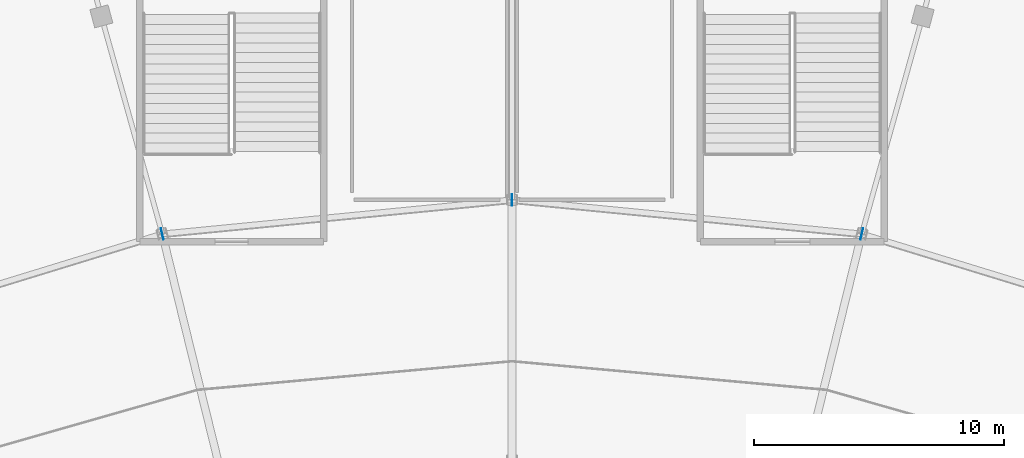
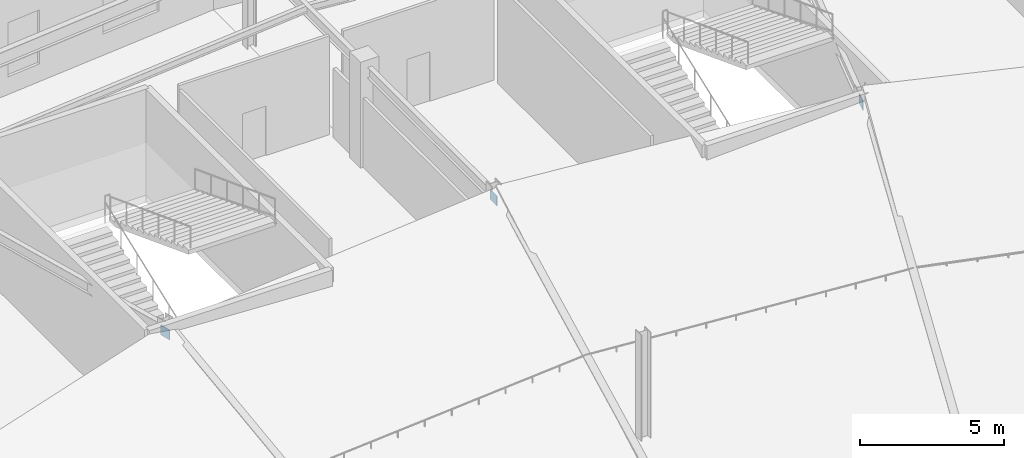
# One storey, part 29 of 63: 3 plates.
"""IFC4 building model written with IfcOpenShell, lengths in metres."""

from ifc_helpers import new_model, si_unit, direction, frame, origin, origin_2d, place, context, subcontext, project, spatial, rectangle, extrude, material, layer, layer_set, type_object, element, save


model = new_model("IFC4")

# Units and contexts
model_context = context("Model", 3, precision=1e-05, world=origin(), true_north=direction((0.0, 1.0)))
body_context = subcontext(model_context, "Body", "Model", "MODEL_VIEW")
ifc_project = project(units=[si_unit("LENGTHUNIT", "METRE"), si_unit("AREAUNIT", "SQUARE_METRE"), si_unit("VOLUMEUNIT", "CUBIC_METRE"), si_unit("PLANEANGLEUNIT", "RADIAN"), si_unit("MASSUNIT", "GRAM", prefix="KILO")], contexts=[model_context])

# Site, building, storey
site_placement = place(None, origin())
site = spatial("IfcSite", under=ifc_project, at=site_placement, CompositionType="ELEMENT")
building_placement = place(site_placement, origin())
building = spatial("IfcBuilding", under=site, at=building_placement, Name="Kalgoora Escarpment Arena", CompositionType="ELEMENT")
storey_placement = place(building_placement, frame((0.0, 0.0, 14.39990234375)))
storey = spatial("IfcBuildingStorey", under=building, at=storey_placement, Name="L03", CompositionType="ELEMENT", Elevation=14.39990234375)

# Plates
ifc_material = material(Name="Structural steel Grade 350 (350 MPa)", Category="steel")
ifc_layer = layer(ifc_material, 0.02490234375)
ifc_layer_set = layer_set([ifc_layer], Name="PLT-GUSSET-25")
plate_type = type_object("IfcPlateType", Name="PLT-GUSSET-25", PredefinedType="USERDEFINED", material=ifc_layer_set)
for number, where, z_axis, x_axis, name in (
    (1, (106.376220703125, 102.636962890625, 3.64013671875), (0.0, 0.0, 1.0), (0.238533457579, 0.97113427991, 0.0), "Upper bowl raker wall embedment plate R06"),
    (2, (92.39990234375, 104.0, 3.64013671875), (0.0, 0.0, 1.0), (0.0, 1.0, 0.0), "Upper bowl raker wall embedment plate R07"),
    (3, (78.423828125, 102.636962890625, 3.64013671875), (0.0, 0.0, 1.0), (-0.238533457579, 0.97113427991, 0.0), "Upper bowl raker wall embedment plate R08"),
):
    element("IfcPlate", number, at=place(storey_placement, frame(where, z_axis=z_axis, x_axis=x_axis)), inside=storey, type_object=plate_type, Name=name, ObjectType="FLANGE PLATE", PredefinedType="USERDEFINED", context=body_context, shape_type="SweptSolid", body=[
        extrude(rectangle(XDim=0.4599609375, YDim=0.02490234375, at=origin_2d()), origin(), (0.0, 0.0, 1.0), 0.419921875),
    ])

save(model, "model.ifc")
